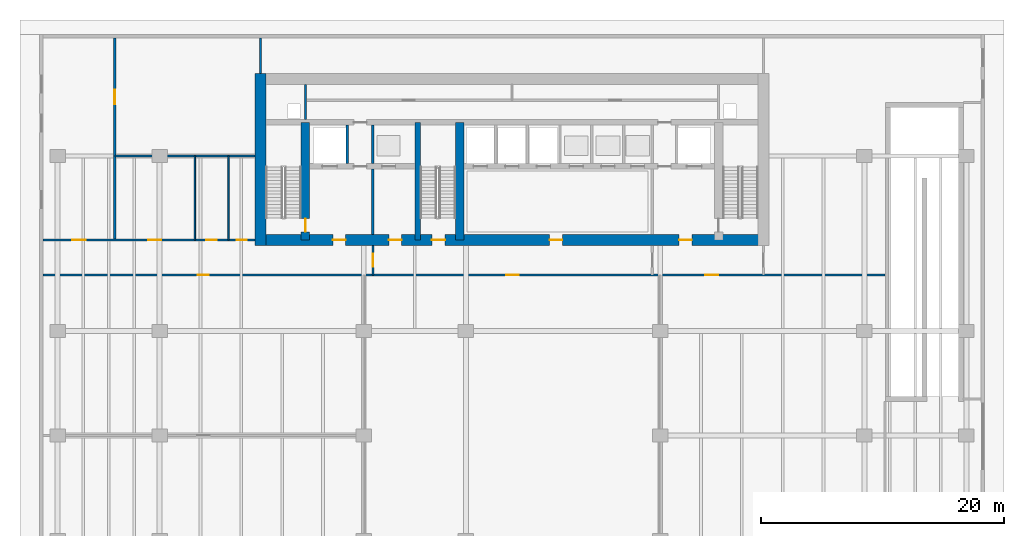
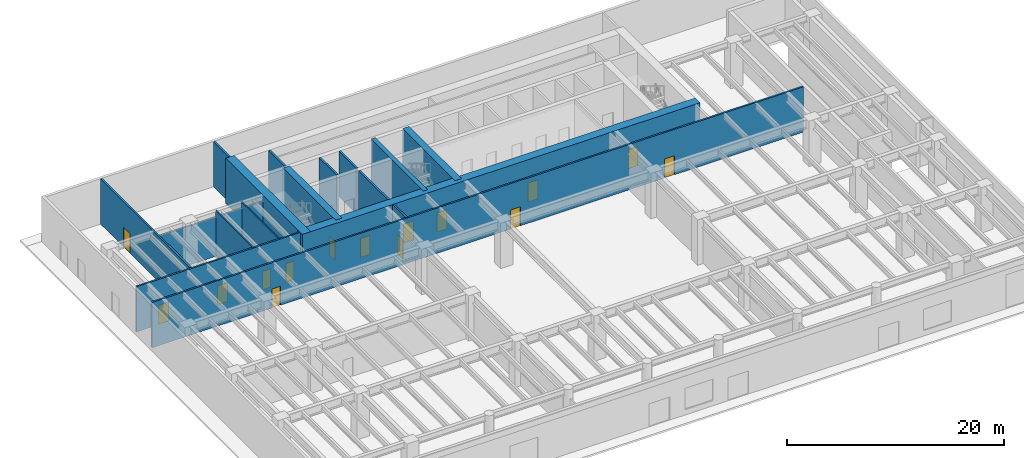
# One storey, part 5 of 11: 17 walls, 15 doors, 15 openings.
"""IFC4 building model written with IfcOpenShell, lengths in metres."""

import ifcopenshell
import ifcopenshell.guid

model = None  # the IFC model being written
_history = None  # IfcOwnerHistory: only IFC2X3 demands one
_inside = {}  # id of a spatial element -> (the spatial element, [elements in it])
_under = {}  # id of a project, library or spatial element -> (it, [spatial elements below it])
_declared = {}  # id of a project -> (the project, [libraries it declares])
_typed = {}  # id of a type object -> (the type object, [elements of that type])
_made_of = {}  # id of a material, layer set ... -> (it, [elements and type objects made of it])


def new_model(schema):
    """Start an empty IFC model of exactly this schema.

    Asked for "IFC4X3", IfcOpenShell would pick the latest addendum, in which some entities
    have other attributes; the version numbers below select the first issue.
    IFC2X3 requires an IfcOwnerHistory on every rooted entity: one is made here for all.
    """
    global model, _history
    if schema == "IFC4X3":
        model = ifcopenshell.file(schema_version=(4, 3, 0, 0))
    else:
        model = ifcopenshell.file(schema=schema)
    _inside.clear()
    _under.clear()
    _declared.clear()
    _typed.clear()
    _made_of.clear()
    _history = None
    if model.schema == "IFC2X3":
        org = make("IfcOrganization", Name="unknown")
        user = make(
            "IfcPersonAndOrganization",
            ThePerson=make("IfcPerson", FamilyName="unknown"),
            TheOrganization=org,
        )
        app = make(
            "IfcApplication",
            ApplicationDeveloper=org,
            Version="unknown",
            ApplicationFullName="unknown",
            ApplicationIdentifier="unknown",
        )
        _history = make(
            "IfcOwnerHistory",
            OwningUser=user,
            OwningApplication=app,
            ChangeAction="ADDED",
            CreationDate=0,
        )
    return model


def make(cls, **values):
    """One entity of the class cls with the attributes given. An attribute that is None is left unset."""
    return model.create_entity(
        cls, **{name: value for name, value in values.items() if value is not None}
    )


def rooted(cls, **values):
    """An entity with a GlobalId (a new one), such as an element, a storey or a relation."""
    return make(cls, GlobalId=ifcopenshell.guid.new(), OwnerHistory=_history, **values)


def si_unit(unit_type, name, prefix=None):
    """IfcSIUnit, for example si_unit("LENGTHUNIT", "METRE", prefix="MILLI")."""
    return make("IfcSIUnit", UnitType=unit_type, Prefix=prefix, Name=name)


def assignment(units):
    """IfcUnitAssignment: the units of a project."""
    return None if units is None else make("IfcUnitAssignment", Units=units)


def point(xyz):
    """IfcCartesianPoint."""
    return None if xyz is None else make("IfcCartesianPoint", Coordinates=xyz)


def direction(xyz):
    """IfcDirection."""
    return None if xyz is None else make("IfcDirection", DirectionRatios=xyz)


def frame(location, z_axis=None, x_axis=None):
    """IfcAxis2Placement3D, a coordinate frame: its origin and axes. An axis left out is left unset."""
    return make(
        "IfcAxis2Placement3D",
        Location=point(location),
        Axis=direction(z_axis),
        RefDirection=direction(x_axis),
    )


def frame_2d(location, x_axis=None):
    """IfcAxis2Placement2D, a coordinate frame in the plane: its origin and x axis."""
    return make(
        "IfcAxis2Placement2D", Location=point(location), RefDirection=direction(x_axis)
    )


def origin():
    """The frame at (0, 0, 0) with its axes left unset."""
    return frame((0.0, 0.0, 0.0))


def place(relative_to, where):
    """IfcLocalPlacement: puts the frame where relative to a parent placement (None: the world)."""
    return make(
        "IfcLocalPlacement", PlacementRelTo=relative_to, RelativePlacement=where
    )


def context(
    kind, dimensions, precision=None, world=None, true_north=None, identifier=None
):
    """IfcGeometricRepresentationContext, for example the 3D "Model" context."""
    return make(
        "IfcGeometricRepresentationContext",
        ContextIdentifier=identifier,
        ContextType=kind,
        CoordinateSpaceDimension=dimensions,
        Precision=precision,
        WorldCoordinateSystem=world,
        TrueNorth=true_north,
    )


def subcontext(parent, identifier, kind, view, scale=None):
    """IfcGeometricRepresentationSubContext, for example "Body" below "Model"."""
    return make(
        "IfcGeometricRepresentationSubContext",
        ContextIdentifier=identifier,
        ContextType=kind,
        ParentContext=parent,
        TargetScale=scale,
        TargetView=view,
    )


def project(units=None, contexts=None):
    """IfcProject with its units and contexts."""
    return rooted(
        "IfcProject",
        Name="project",
        RepresentationContexts=contexts,
        UnitsInContext=assignment(units),
    )


def spatial(cls, under=None, at=None, **own):
    """A site, building, storey or space (cls), placed at a placement, below another one or the project."""
    s = rooted(cls, ObjectPlacement=at, **own)
    if under is not None:
        _under.setdefault(under.id(), (under, []))[1].append(s)
    return s


def profile(cls, at=None, kind="AREA", **sizes):
    """A parametric profile (cls). Its sizes go by their IFC names, for example OverallWidth=200.0."""
    return make(cls, ProfileType=kind, Position=at, **sizes)


def rectangle(**sizes):
    """IfcRectangleProfileDef."""
    return profile("IfcRectangleProfileDef", **sizes)


def extrude(swept, where, along, depth):
    """IfcExtrudedAreaSolid: the profile swept, set in the frame where, extruded along a direction by depth."""
    return make(
        "IfcExtrudedAreaSolid",
        SweptArea=swept,
        Position=where,
        ExtrudedDirection=direction(along),
        Depth=depth,
    )


def shape(context_of_items, identifier, shape_type, items):
    """IfcShapeRepresentation: the items that make up one representation, for example the "Body"."""
    return make(
        "IfcShapeRepresentation",
        ContextOfItems=context_of_items,
        RepresentationIdentifier=identifier,
        RepresentationType=shape_type,
        Items=items,
    )


def material(Name=None, Category=None):
    """IfcMaterial."""
    return make("IfcMaterial", Name=Name, Category=Category)


def layer(
    of_material, thickness, ventilated=None, Name=None, Category=None, Priority=None
):
    """IfcMaterialLayer: one layer of a wall or slab, of a material (None: an air gap)."""
    return make(
        "IfcMaterialLayer",
        Material=of_material,
        LayerThickness=thickness,
        IsVentilated=ventilated,
        Name=Name,
        Category=Category,
        Priority=Priority,
    )


def layer_set(layers, Name=None):
    """IfcMaterialLayerSet."""
    return make("IfcMaterialLayerSet", MaterialLayers=layers, LayerSetName=Name)


def made_of(thing, what):
    """Note that an element or type object is made of a material, layer set ...; save() writes the relation."""
    if what is not None:
        _made_of.setdefault(what.id(), (what, []))[1].append(thing)
    return thing


def type_object(cls, material=None, **own):
    """A type object (cls), such as IfcWallType, which elements share."""
    return made_of(rooted(cls, **own), material)


def element(
    cls,
    number,
    at=None,
    inside=None,
    cuts=None,
    type_object=None,
    material=None,
    context=None,
    identifier="Body",
    shape_type=None,
    held_by="IfcProductDefinitionShape",
    body=None,
    shapes=None,
    **own,
):
    """One element of the class cls, such as IfcWall. Its Tag is "e" and its number.

    at: its placement. inside: the storey or other place that contains it. cuts: it is an
    opening in that element (IfcRelVoidsElement). A single representation is given by context,
    identifier, shape_type and body (its items); several are given by shapes. held_by: the class
    of the entity that holds the representations. save() writes the other relations.
    """
    e = rooted(cls, Tag="e%d" % number, ObjectPlacement=at, **own)
    if body is not None:
        shapes = [shape(context, identifier, shape_type, body)]
    if shapes is not None:
        e.Representation = make(held_by, Representations=shapes)
    if inside is not None:
        _inside.setdefault(inside.id(), (inside, []))[1].append(e)
    if cuts is not None:
        rooted(
            "IfcRelVoidsElement", RelatingBuildingElement=cuts, RelatedOpeningElement=e
        )
    if type_object is not None:
        _typed.setdefault(type_object.id(), (type_object, []))[1].append(e)
    return made_of(e, material)


def fill(opening, filler):
    """IfcRelFillsElement: the door or window that sits in an opening."""
    return rooted(
        "IfcRelFillsElement",
        RelatingOpeningElement=opening,
        RelatedBuildingElement=filler,
    )


def aggregate(whole, parts):
    """IfcRelAggregates: a whole, such as a stair, and the parts it consists of."""
    return rooted("IfcRelAggregates", RelatingObject=whole, RelatedObjects=parts)


def save(model, path):
    """Write the relations noted so far, then the file.

    IfcRelAggregates (storeys below a building ...), IfcRelContainedInSpatialStructure (elements
    in a storey), IfcRelDefinesByType, IfcRelAssociatesMaterial and IfcRelDeclares: one each for
    every whole, place, type object, material and project.
    """
    for whole, parts in _under.values():
        aggregate(whole, parts)
    for where, things in _inside.values():
        rooted(
            "IfcRelContainedInSpatialStructure",
            RelatedElements=things,
            RelatingStructure=where,
        )
    for kind, things in _typed.values():
        rooted("IfcRelDefinesByType", RelatedObjects=things, RelatingType=kind)
    for what, things in _made_of.values():
        rooted("IfcRelAssociatesMaterial", RelatedObjects=things, RelatingMaterial=what)
    for by, libraries in _declared.values():
        rooted("IfcRelDeclares", RelatingContext=by, RelatedDefinitions=libraries)
    model.write(path)


model = new_model("IFC4")

# Units and contexts
model_context = context("Model", 3, precision=1e-05, world=origin(), true_north=direction((0.0, 1.0)))
body_context = subcontext(model_context, "Body", "Model", "MODEL_VIEW")
ifc_project = project(units=[si_unit("LENGTHUNIT", "METRE"), si_unit("AREAUNIT", "SQUARE_METRE"), si_unit("VOLUMEUNIT", "CUBIC_METRE"), si_unit("PLANEANGLEUNIT", "RADIAN"), si_unit("MASSUNIT", "GRAM", prefix="KILO")], contexts=[model_context])

# Site, building, storey
site_placement = place(None, origin())
site = spatial("IfcSite", under=ifc_project, at=site_placement, CompositionType="ELEMENT")
building_placement = place(site_placement, origin())
building = spatial("IfcBuilding", under=site, at=building_placement, Name="Caelmar Bay Residences", CompositionType="ELEMENT")
storey_placement = place(building_placement, origin())
storey = spatial("IfcBuildingStorey", under=building, at=storey_placement, Name="L00", CompositionType="ELEMENT", Elevation=0.0)

# Wall, opening, door
ifc_material_1 = material(Name="Concrete f'c 55 MPa (8,000 psi)", Category="concrete")
ifc_layer_1 = layer(ifc_material_1, 0.699951171875)
ifc_layer_set_1 = layer_set([ifc_layer_1], Name="Concrete f'c 55 MPa (8,000 psi)")
wall_type_1 = type_object("IfcWallType", Name="SW-COR-700", PredefinedType="SHEAR", material=ifc_layer_set_1)
wall_1_placement = place(storey_placement, frame((21.89990234375, 36.89990234375, 0.0), z_axis=(0.0, 0.0, 1.0), x_axis=(0.0, 1.0, 0.0)))
wall_1 = element("IfcWall", 1, at=wall_1_placement, inside=storey, type_object=wall_type_1, Name="L00 Core Structural Web Wall ST1E", PredefinedType="SHEAR", context=body_context, shape_type="SweptSolid", body=[
    extrude(rectangle(XDim=9.675048828125, YDim=0.699951171875, at=frame_2d((4.83740234375, 0.0))), origin(), (0.0, 0.0, 1.0), 5.10009765625),
])
opening_1_placement = place(wall_1_placement, frame((0.64990234375, 0.0, 0.0)))
opening_1 = element("IfcOpeningElement", 2, at=opening_1_placement, cuts=wall_1, Name="Opening D-L00-112", PredefinedType="OPENING", context=body_context, shape_type="SweptSolid", body=[
    extrude(rectangle(XDim=1.10009765625, YDim=2.14990234375, at=frame_2d((0.550048828125, 1.074951171875))), frame((0.0, 0.35986328125, 0.0), z_axis=(0.0, -1.0, 0.0), x_axis=(1.0, 0.0, 0.0)), (0.0, 0.0, 1.0), 0.719970703125),
])
ifc_material_2 = material(Name="Fire-rated steel and walnut architectural door assembly", Category="steel")
ifc_layer_2 = layer(ifc_material_2, 0.050048828125)
ifc_layer_set_2 = layer_set([ifc_layer_2], Name="Fire-rated steel and walnut architectural door assembly")
door_type_1 = type_object("IfcDoorType", Name="D-STAIR-1100", OperationType="NOTDEFINED", PredefinedType="DOOR", material=ifc_layer_set_2)
door_1_placement = place(opening_1_placement, origin())
door_1 = element("IfcDoor", 3, at=door_1_placement, inside=storey, type_object=door_type_1, Name="L00 Firefighting Lobby West Door", OperationType="SINGLE_SWING_LEFT", OverallHeight=2.14990234375, OverallWidth=1.10009765625, PredefinedType="DOOR", context=body_context, shape_type="SweptSolid", body=[
    extrude(rectangle(XDim=1.10009765625, YDim=2.14990234375, at=frame_2d((0.550048828125, 1.074951171875))), frame((0.0, 0.02490234375, 0.0), z_axis=(0.0, -1.0, 0.0), x_axis=(1.0, 0.0, 0.0)), (0.0, 0.0, 1.0), 0.050048828125),
])
fill(opening_1, door_1)

# Wall
wall_2_placement = place(storey_placement, frame((34.60009765625, 36.89990234375, 0.0), z_axis=(0.0, 0.0, 1.0), x_axis=(0.0, 1.0, 0.0)))
element("IfcWall", 4, at=wall_2_placement, inside=storey, type_object=wall_type_1, Name="L00 Core Structural Web Wall ST3E", PredefinedType="SHEAR", context=body_context, shape_type="SweptSolid", body=[
    extrude(rectangle(XDim=9.675048828125, YDim=0.699951171875, at=frame_2d((4.83740234375, 0.0))), origin(), (0.0, 0.0, 1.0), 5.10009765625),
])

# Wall, openings, doors
ifc_material_3 = material(Name="Concrete f'c 70 MPa (10,000 psi)", Category="concrete")
ifc_layer_3 = layer(ifc_material_3, 0.89990234375)
ifc_layer_set_3 = layer_set([ifc_layer_3], Name="Concrete f'c 70 MPa (10,000 psi)")
wall_type_2 = type_object("IfcWallType", Name="SW-COR-900", PredefinedType="SHEAR", material=ifc_layer_set_3)
wall_3_placement = place(storey_placement, frame((17.75, 36.89990234375, 0.0), z_axis=(0.0, 0.0, 1.0), x_axis=(1.0, 0.0, 0.0)))
wall_3 = element("IfcWall", 5, at=wall_3_placement, inside=storey, type_object=wall_type_2, Name="L00 Rear Core South Shear Wall", PredefinedType="SHEAR", context=body_context, shape_type="SweptSolid", body=[
    extrude(rectangle(XDim=42.300048828125, YDim=0.89990234375, at=frame_2d((21.14990234375, 0.0))), origin(), (0.0, 0.0, 1.0), 5.10009765625),
])
opening_2_placement = place(wall_3_placement, frame((14.550048828125, 0.0, 0.0)))
opening_2 = element("IfcOpeningElement", 6, at=opening_2_placement, cuts=wall_3, Name="Opening D-L00-110", PredefinedType="OPENING", context=body_context, shape_type="SweptSolid", body=[
    extrude(rectangle(XDim=1.10009765625, YDim=2.14990234375, at=frame_2d((0.550048828125, 1.074951171875))), frame((0.0, 0.4599609375, 0.0), z_axis=(0.0, -1.0, 0.0), x_axis=(1.0, 0.0, 0.0)), (0.0, 0.0, 1.0), 0.919921875),
])
opening_3_placement = place(wall_3_placement, frame((6.39990234375, 0.0, 0.0)))
opening_3 = element("IfcOpeningElement", 7, at=opening_3_placement, cuts=wall_3, Name="Opening D-L00-111", PredefinedType="OPENING", context=body_context, shape_type="SweptSolid", body=[
    extrude(rectangle(XDim=1.050048828125, YDim=2.14990234375, at=frame_2d((0.52490234375, 1.074951171875))), frame((0.0, 0.4599609375, 0.0), z_axis=(0.0, -1.0, 0.0), x_axis=(1.0, 0.0, 0.0)), (0.0, 0.0, 1.0), 0.919921875),
])
opening_4_placement = place(wall_3_placement, frame((34.89990234375, 0.0, 0.0)))
opening_4 = element("IfcOpeningElement", 8, at=opening_4_placement, cuts=wall_3, Name="Opening D-L00-114", PredefinedType="OPENING", context=body_context, shape_type="SweptSolid", body=[
    extrude(rectangle(XDim=1.050048828125, YDim=2.14990234375, at=frame_2d((0.52490234375, 1.074951171875))), frame((0.0, 0.4599609375, 0.0), z_axis=(0.0, -1.0, 0.0), x_axis=(1.0, 0.0, 0.0)), (0.0, 0.0, 1.0), 0.919921875),
])
opening_5_placement = place(wall_3_placement, frame((11.012451171875, 0.0, 0.0)))
opening_5 = element("IfcOpeningElement", 9, at=opening_5_placement, cuts=wall_3, Name="Opening D-L00-117", PredefinedType="OPENING", context=body_context, shape_type="SweptSolid", body=[
    extrude(rectangle(XDim=1.050048828125, YDim=2.14990234375, at=frame_2d((0.52490234375, 1.074951171875))), frame((0.0, 0.4599609375, 0.0), z_axis=(0.0, -1.0, 0.0), x_axis=(1.0, 0.0, 0.0)), (0.0, 0.0, 1.0), 0.919921875),
])
opening_6_placement = place(wall_3_placement, frame((24.25, 0.0, 0.0)))
opening_6 = element("IfcOpeningElement", 10, at=opening_6_placement, cuts=wall_3, Name="Opening D-L00-118", PredefinedType="OPENING", context=body_context, shape_type="SweptSolid", body=[
    extrude(rectangle(XDim=1.050048828125, YDim=2.14990234375, at=frame_2d((0.52490234375, 1.074951171875))), frame((0.0, 0.4599609375, 0.0), z_axis=(0.0, -1.0, 0.0), x_axis=(1.0, 0.0, 0.0)), (0.0, 0.0, 1.0), 0.919921875),
])
ifc_layer_4 = layer(ifc_material_2, 0.050048828125)
ifc_layer_set_4 = layer_set([ifc_layer_4], Name="Fire-rated steel and walnut architectural door assembly")
door_type_2 = type_object("IfcDoorType", Name="D-FSAE-1050", OperationType="NOTDEFINED", PredefinedType="DOOR", material=ifc_layer_set_4)
door_2_placement = place(opening_3_placement, origin())
door_2 = element("IfcDoor", 11, at=door_2_placement, inside=storey, type_object=door_type_2, Name="L00 Firefighting Lobby West Door", OperationType="SINGLE_SWING_RIGHT", OverallHeight=2.14990234375, OverallWidth=1.050048828125, PredefinedType="DOOR", context=body_context, shape_type="SweptSolid", body=[
    extrude(rectangle(XDim=1.050048828125, YDim=2.14990234375, at=frame_2d((0.52490234375, 1.074951171875))), frame((0.0, 0.02490234375, 0.0), z_axis=(0.0, -1.0, 0.0), x_axis=(1.0, 0.0, 0.0)), (0.0, 0.0, 1.0), 0.050048828125),
])
fill(opening_3, door_2)
door_3_placement = place(opening_4_placement, origin())
door_3 = element("IfcDoor", 12, at=door_3_placement, inside=storey, type_object=door_type_2, Name="L00 Firefighting Lobby East Door", OperationType="SINGLE_SWING_LEFT", OverallHeight=2.14990234375, OverallWidth=1.050048828125, PredefinedType="DOOR", context=body_context, shape_type="SweptSolid", body=[
    extrude(rectangle(XDim=1.050048828125, YDim=2.14990234375, at=frame_2d((0.52490234375, 1.074951171875))), frame((0.0, 0.02490234375, 0.0), z_axis=(0.0, -1.0, 0.0), x_axis=(1.0, 0.0, 0.0)), (0.0, 0.0, 1.0), 0.050048828125),
])
fill(opening_4, door_3)
door_4_placement = place(opening_5_placement, origin())
door_4 = element("IfcDoor", 13, at=door_4_placement, inside=storey, type_object=door_type_2, Name="L00 West Lift Lobby Door", OperationType="SINGLE_SWING_RIGHT", OverallHeight=2.14990234375, OverallWidth=1.050048828125, PredefinedType="DOOR", context=body_context, shape_type="SweptSolid", body=[
    extrude(rectangle(XDim=1.050048828125, YDim=2.14990234375, at=frame_2d((0.52490234375, 1.074951171875))), frame((0.0, 0.02490234375, 0.0), z_axis=(0.0, -1.0, 0.0), x_axis=(1.0, 0.0, 0.0)), (0.0, 0.0, 1.0), 0.050048828125),
])
fill(opening_5, door_4)
door_5_placement = place(opening_6_placement, origin())
door_5 = element("IfcDoor", 14, at=door_5_placement, inside=storey, type_object=door_type_2, Name="L00 Passenger Lift Lobby Door", OperationType="SINGLE_SWING_LEFT", OverallHeight=2.14990234375, OverallWidth=1.050048828125, PredefinedType="DOOR", context=body_context, shape_type="SweptSolid", body=[
    extrude(rectangle(XDim=1.050048828125, YDim=2.14990234375, at=frame_2d((0.52490234375, 1.074951171875))), frame((0.0, 0.02490234375, 0.0), z_axis=(0.0, -1.0, 0.0), x_axis=(1.0, 0.0, 0.0)), (0.0, 0.0, 1.0), 0.050048828125),
])
fill(opening_6, door_5)
door_6_placement = place(opening_2_placement, origin())
door_6 = element("IfcDoor", 15, at=door_6_placement, inside=storey, type_object=door_type_1, Name="L00 Exit Stair ST3 Door", OperationType="SINGLE_SWING_LEFT", OverallHeight=2.14990234375, OverallWidth=1.10009765625, PredefinedType="DOOR", context=body_context, shape_type="SweptSolid", body=[
    extrude(rectangle(XDim=1.10009765625, YDim=2.14990234375, at=frame_2d((0.550048828125, 1.074951171875))), frame((0.0, 0.02490234375, 0.0), z_axis=(0.0, -1.0, 0.0), x_axis=(1.0, 0.0, 0.0)), (0.0, 0.0, 1.0), 0.050048828125),
])
fill(opening_2, door_6)

# Walls
wall_4_placement = place(storey_placement, frame((18.199951171875, 36.449951171875, 0.0), z_axis=(0.0, 0.0, 1.0), x_axis=(0.0, 1.0, 0.0)))
element("IfcWall", 16, at=wall_4_placement, inside=storey, type_object=wall_type_2, Name="L00 Rear Core West Shear Wall", PredefinedType="SHEAR", context=body_context, shape_type="SweptSolid", body=[
    extrude(rectangle(XDim=14.150146484375, YDim=0.89990234375, at=frame_2d((7.0751953125, 0.0))), origin(), (0.0, 0.0, 1.0), 5.10009765625),
])
ifc_layer_5 = layer(ifc_material_3, 0.449951171875)
ifc_layer_set_5 = layer_set([ifc_layer_5], Name="Concrete f'c 70 MPa (10,000 psi)")
wall_type_3 = type_object("IfcWallType", Name="SW-WEB-450", PredefinedType="SHEAR", material=ifc_layer_set_5)
wall_5_placement = place(storey_placement, frame((31.125, 36.89990234375, 0.0), z_axis=(0.0, 0.0, 1.0), x_axis=(0.0, 1.0, 0.0)))
element("IfcWall", 17, at=wall_5_placement, inside=storey, type_object=wall_type_3, Name="L00 Core Structural Web Wall ST3W", PredefinedType="SHEAR", context=body_context, shape_type="SweptSolid", body=[
    extrude(rectangle(XDim=9.675048828125, YDim=0.449951171875, at=frame_2d((4.83740234375, 0.0))), origin(), (0.0, 0.0, 1.0), 5.10009765625),
])

# Wall, opening, door
ifc_material_4 = material(Name="Double-stud acoustic fire-rated gypsum partition 180 mm")
ifc_layer_6 = layer(ifc_material_4, 0.179931640625)
ifc_layer_set_6 = layer_set([ifc_layer_6], Name="Double-stud acoustic fire-rated gypsum partition 180 mm")
wall_type_4 = type_object("IfcWallType", Name="W-COR-200", PredefinedType="PARTITIONING", material=ifc_layer_set_6)
wall_6_placement = place(storey_placement, frame((6.199951171875, 36.89990234375, 0.0), z_axis=(0.0, 0.0, 1.0), x_axis=(0.0, 1.0, 0.0)))
wall_6 = element("IfcWall", 18, at=wall_6_placement, inside=storey, type_object=wall_type_4, Name="L00 Partition Wall V001", PredefinedType="PARTITIONING", context=body_context, shape_type="SweptSolid", body=[
    extrude(rectangle(XDim=16.60498046875, YDim=0.179931640625, at=frame_2d((8.302490234375, 0.0))), origin(), (0.0, 0.0, 1.0), 5.10009765625),
])
opening_7_placement = place(wall_6_placement, frame((11.152587890625, 0.0, 0.0)))
opening_7 = element("IfcOpeningElement", 19, at=opening_7_placement, cuts=wall_6, Name="Opening D-L00-135", PredefinedType="OPENING", context=body_context, shape_type="SweptSolid", body=[
    extrude(rectangle(XDim=1.199951171875, YDim=2.199951171875, at=frame_2d((0.60009765625, 1.10009765625))), frame((0.0, 0.099853515625, 0.0), z_axis=(0.0, -1.0, 0.0), x_axis=(1.0, 0.0, 0.0)), (0.0, 0.0, 1.0), 0.199951171875),
])
ifc_layer_7 = layer(ifc_material_2, 0.050048828125)
ifc_layer_set_7 = layer_set([ifc_layer_7], Name="Fire-rated steel and walnut architectural door assembly")
door_type_3 = type_object("IfcDoorType", Name="D-PLANT-1200", OperationType="NOTDEFINED", PredefinedType="DOOR", material=ifc_layer_set_7)
door_7_placement = place(opening_7_placement, origin())
door_7 = element("IfcDoor", 20, at=door_7_placement, inside=storey, type_object=door_type_3, Name="L00 Ground Fire Pump Control Plant Room Door", OperationType="SINGLE_SWING_RIGHT", OverallHeight=2.199951171875, OverallWidth=1.199951171875, PredefinedType="DOOR", context=body_context, shape_type="SweptSolid", body=[
    extrude(rectangle(XDim=1.199951171875, YDim=2.199951171875, at=frame_2d((0.60009765625, 1.10009765625))), frame((0.0, 0.02490234375, 0.0), z_axis=(0.0, -1.0, 0.0), x_axis=(1.0, 0.0, 0.0)), (0.0, 0.0, 1.0), 0.050048828125),
])
fill(opening_7, door_7)

# Wall
wall_7_placement = place(storey_placement, frame((18.199951171875, 50.60498046875, 0.0), z_axis=(0.0, 0.0, 1.0), x_axis=(0.0, 1.0, 0.0)))
element("IfcWall", 21, at=wall_7_placement, inside=storey, type_object=wall_type_4, Name="L00 Partition Wall V004", PredefinedType="PARTITIONING", context=body_context, shape_type="SweptSolid", body=[
    extrude(rectangle(XDim=2.89990234375, YDim=0.179931640625, at=frame_2d((1.449951171875, 0.0))), origin(), (0.0, 0.0, 1.0), 5.10009765625),
])

# Wall, opening, door
wall_8_placement = place(storey_placement, frame((27.449951171875, 34.0, 0.0), z_axis=(0.0, 0.0, 1.0), x_axis=(0.0, 1.0, 0.0)))
wall_8 = element("IfcWall", 22, at=wall_8_placement, inside=storey, type_object=wall_type_4, Name="L00 Partition Wall V008", PredefinedType="PARTITIONING", context=body_context, shape_type="SweptSolid", body=[
    extrude(rectangle(XDim=2.455078125, YDim=0.179931640625, at=frame_2d((1.2275390625, 0.0))), origin(), (0.0, 0.0, 1.0), 5.10009765625),
])
opening_8_placement = place(wall_8_placement, frame((0.677490234375, 0.0, 0.0)))
opening_8 = element("IfcOpeningElement", 23, at=opening_8_placement, cuts=wall_8, Name="Opening D-L00-123", PredefinedType="OPENING", context=body_context, shape_type="SweptSolid", body=[
    extrude(rectangle(XDim=1.10009765625, YDim=2.14990234375, at=frame_2d((0.550048828125, 1.074951171875))), frame((0.0, 0.099853515625, 0.0), z_axis=(0.0, -1.0, 0.0), x_axis=(1.0, 0.0, 0.0)), (0.0, 0.0, 1.0), 0.199951171875),
])
door_8_placement = place(opening_8_placement, origin())
door_8 = element("IfcDoor", 24, at=door_8_placement, inside=storey, type_object=door_type_1, Name="L00 West Protected Exit Passageway Door", OperationType="SINGLE_SWING_RIGHT", OverallHeight=2.14990234375, OverallWidth=1.10009765625, PredefinedType="DOOR", context=body_context, shape_type="SweptSolid", body=[
    extrude(rectangle(XDim=1.10009765625, YDim=2.14990234375, at=frame_2d((0.550048828125, 1.074951171875))), frame((0.0, 0.02490234375, 0.0), z_axis=(0.0, -1.0, 0.0), x_axis=(1.0, 0.0, 0.0)), (0.0, 0.0, 1.0), 0.050048828125),
])
fill(opening_8, door_8)

# Wall, openings, doors
wall_9_placement = place(storey_placement, frame((0.294921875, 34.0, 0.0), z_axis=(0.0, 0.0, 1.0), x_axis=(1.0, 0.0, 0.0)))
wall_9 = element("IfcWall", 25, at=wall_9_placement, inside=storey, type_object=wall_type_4, Name="L00 Partition Wall H028", PredefinedType="PARTITIONING", context=body_context, shape_type="SweptSolid", body=[
    extrude(rectangle(XDim=69.30517578125, YDim=0.179931640625, at=frame_2d((34.652587890625, 0.0))), origin(), (0.0, 0.0, 1.0), 5.10009765625),
])
opening_9_placement = place(wall_9_placement, frame((38.1298828125, 0.0, 0.0)))
opening_9 = element("IfcOpeningElement", 26, at=opening_9_placement, cuts=wall_9, Name="Opening D-L00-125", PredefinedType="OPENING", context=body_context, shape_type="SweptSolid", body=[
    extrude(rectangle(XDim=1.050048828125, YDim=2.14990234375, at=frame_2d((0.52490234375, 1.074951171875))), frame((0.0, 0.099853515625, 0.0), z_axis=(0.0, -1.0, 0.0), x_axis=(1.0, 0.0, 0.0)), (0.0, 0.0, 1.0), 0.199951171875),
])
opening_10_placement = place(wall_9_placement, frame((12.75244140625, 0.0, 0.0)))
opening_10 = element("IfcOpeningElement", 27, at=opening_10_placement, cuts=wall_9, Name="Opening D-L00-126", PredefinedType="OPENING", context=body_context, shape_type="SweptSolid", body=[
    extrude(rectangle(XDim=0.89990234375, YDim=2.14990234375, at=frame_2d((0.449951171875, 1.074951171875))), frame((0.0, 0.099853515625, 0.0), z_axis=(0.0, -1.0, 0.0), x_axis=(1.0, 0.0, 0.0)), (0.0, 0.0, 1.0), 0.199951171875),
])
opening_11_placement = place(wall_9_placement, frame((54.530029296875, 0.0, 0.0)))
opening_11 = element("IfcOpeningElement", 28, at=opening_11_placement, cuts=wall_9, Name="Opening D-L00-131", PredefinedType="OPENING", context=body_context, shape_type="SweptSolid", body=[
    extrude(rectangle(XDim=1.050048828125, YDim=2.14990234375, at=frame_2d((0.52490234375, 1.074951171875))), frame((0.0, 0.099853515625, 0.0), z_axis=(0.0, -1.0, 0.0), x_axis=(1.0, 0.0, 0.0)), (0.0, 0.0, 1.0), 0.199951171875),
])
door_9_placement = place(opening_9_placement, origin())
door_9 = element("IfcDoor", 29, at=door_9_placement, inside=storey, type_object=door_type_2, Name="L00 Grand Entrance Lobby Door", OperationType="SINGLE_SWING_RIGHT", OverallHeight=2.14990234375, OverallWidth=1.050048828125, PredefinedType="DOOR", context=body_context, shape_type="SweptSolid", body=[
    extrude(rectangle(XDim=1.050048828125, YDim=2.14990234375, at=frame_2d((0.52490234375, 1.074951171875))), frame((0.0, 0.02490234375, 0.0), z_axis=(0.0, -1.0, 0.0), x_axis=(1.0, 0.0, 0.0)), (0.0, 0.0, 1.0), 0.050048828125),
])
fill(opening_9, door_9)
door_10_placement = place(opening_11_placement, origin())
door_10 = element("IfcDoor", 30, at=door_10_placement, inside=storey, type_object=door_type_2, Name="L00 Waterfront Retail Gallery Door", OperationType="SINGLE_SWING_RIGHT", OverallHeight=2.14990234375, OverallWidth=1.050048828125, PredefinedType="DOOR", context=body_context, shape_type="SweptSolid", body=[
    extrude(rectangle(XDim=1.050048828125, YDim=2.14990234375, at=frame_2d((0.52490234375, 1.074951171875))), frame((0.0, 0.02490234375, 0.0), z_axis=(0.0, -1.0, 0.0), x_axis=(1.0, 0.0, 0.0)), (0.0, 0.0, 1.0), 0.050048828125),
])
fill(opening_11, door_10)
ifc_material_5 = material(Name="Solid walnut timber interior door leaf and frame", Category="wood")
ifc_layer_8 = layer(ifc_material_5, 0.050048828125)
ifc_layer_set_8 = layer_set([ifc_layer_8], Name="Solid walnut timber interior door leaf and frame")
door_type_4 = type_object("IfcDoorType", Name="D-ROOM-900", OperationType="NOTDEFINED", PredefinedType="DOOR", material=ifc_layer_set_8)
door_11_placement = place(opening_10_placement, origin())
door_11 = element("IfcDoor", 31, at=door_11_placement, inside=storey, type_object=door_type_4, Name="L00 Concierge Management Office Door", OperationType="SINGLE_SWING_LEFT", OverallHeight=2.14990234375, OverallWidth=0.89990234375, PredefinedType="DOOR", context=body_context, shape_type="SweptSolid", body=[
    extrude(rectangle(XDim=0.89990234375, YDim=2.14990234375, at=frame_2d((0.449951171875, 1.074951171875))), frame((0.0, 0.02490234375, 0.0), z_axis=(0.0, -1.0, 0.0), x_axis=(1.0, 0.0, 0.0)), (0.0, 0.0, 1.0), 0.050048828125),
])
fill(opening_10, door_11)

wall_10_placement = place(storey_placement, frame((0.294921875, 36.89990234375, 0.0), z_axis=(0.0, 0.0, 1.0), x_axis=(1.0, 0.0, 0.0)))
wall_10 = element("IfcWall", 32, at=wall_10_placement, inside=storey, type_object=wall_type_4, Name="L00 Partition Wall H029", PredefinedType="PARTITIONING", context=body_context, shape_type="SweptSolid", body=[
    extrude(rectangle(XDim=17.4501953125, YDim=0.179931640625, at=frame_2d((8.72509765625, 0.0))), origin(), (0.0, 0.0, 1.0), 5.10009765625),
])
opening_12_placement = place(wall_10_placement, frame((2.402587890625, 0.0, 0.0)))
opening_12 = element("IfcOpeningElement", 33, at=opening_12_placement, cuts=wall_10, Name="Opening D-L00-127", PredefinedType="OPENING", context=body_context, shape_type="SweptSolid", body=[
    extrude(rectangle(XDim=1.10009765625, YDim=2.14990234375, at=frame_2d((0.550048828125, 1.074951171875))), frame((0.0, 0.099853515625, 0.0), z_axis=(0.0, -1.0, 0.0), x_axis=(1.0, 0.0, 0.0)), (0.0, 0.0, 1.0), 0.199951171875),
])
opening_13_placement = place(wall_10_placement, frame((8.679931640625, 0.0, 0.0)))
opening_13 = element("IfcOpeningElement", 34, at=opening_13_placement, cuts=wall_10, Name="Opening D-L00-128", PredefinedType="OPENING", context=body_context, shape_type="SweptSolid", body=[
    extrude(rectangle(XDim=1.050048828125, YDim=2.14990234375, at=frame_2d((0.52490234375, 1.074951171875))), frame((0.0, 0.099853515625, 0.0), z_axis=(0.0, -1.0, 0.0), x_axis=(1.0, 0.0, 0.0)), (0.0, 0.0, 1.0), 0.199951171875),
])
opening_14_placement = place(wall_10_placement, frame((13.455078125, 0.0, 0.0)))
opening_14 = element("IfcOpeningElement", 35, at=opening_14_placement, cuts=wall_10, Name="Opening D-L00-129", PredefinedType="OPENING", context=body_context, shape_type="SweptSolid", body=[
    extrude(rectangle(XDim=0.85009765625, YDim=2.10009765625, at=frame_2d((0.425048828125, 1.050048828125))), frame((0.0, 0.099853515625, 0.0), z_axis=(0.0, -1.0, 0.0), x_axis=(1.0, 0.0, 0.0)), (0.0, 0.0, 1.0), 0.199951171875),
])
opening_15_placement = place(wall_10_placement, frame((15.927490234375, 0.0, 0.0)))
opening_15 = element("IfcOpeningElement", 36, at=opening_15_placement, cuts=wall_10, Name="Opening D-L00-130", PredefinedType="OPENING", context=body_context, shape_type="SweptSolid", body=[
    extrude(rectangle(XDim=0.85009765625, YDim=2.10009765625, at=frame_2d((0.425048828125, 1.050048828125))), frame((0.0, 0.099853515625, 0.0), z_axis=(0.0, -1.0, 0.0), x_axis=(1.0, 0.0, 0.0)), (0.0, 0.0, 1.0), 0.199951171875),
])
ifc_layer_9 = layer(ifc_material_5, 0.050048828125)
ifc_layer_set_9 = layer_set([ifc_layer_9], Name="Solid walnut timber interior door leaf and frame")
door_type_5 = type_object("IfcDoorType", Name="D-BATH-850", OperationType="NOTDEFINED", PredefinedType="DOOR", material=ifc_layer_set_9)
door_12_placement = place(opening_14_placement, origin())
door_12 = element("IfcDoor", 37, at=door_12_placement, inside=storey, type_object=door_type_5, Name="L00 Ground Public Restroom Door", OperationType="SINGLE_SWING_RIGHT", OverallHeight=2.10009765625, OverallWidth=0.85009765625, PredefinedType="DOOR", context=body_context, shape_type="SweptSolid", body=[
    extrude(rectangle(XDim=0.85009765625, YDim=2.10009765625, at=frame_2d((0.425048828125, 1.050048828125))), frame((0.0, 0.02490234375, 0.0), z_axis=(0.0, -1.0, 0.0), x_axis=(1.0, 0.0, 0.0)), (0.0, 0.0, 1.0), 0.050048828125),
])
fill(opening_14, door_12)
door_13_placement = place(opening_15_placement, origin())
door_13 = element("IfcDoor", 38, at=door_13_placement, inside=storey, type_object=door_type_5, Name="L00 Ground Accessible WC Door", OperationType="SINGLE_SWING_LEFT", OverallHeight=2.10009765625, OverallWidth=0.85009765625, PredefinedType="DOOR", context=body_context, shape_type="SweptSolid", body=[
    extrude(rectangle(XDim=0.85009765625, YDim=2.10009765625, at=frame_2d((0.425048828125, 1.050048828125))), frame((0.0, 0.02490234375, 0.0), z_axis=(0.0, -1.0, 0.0), x_axis=(1.0, 0.0, 0.0)), (0.0, 0.0, 1.0), 0.050048828125),
])
fill(opening_15, door_13)
door_14_placement = place(opening_13_placement, origin())
door_14 = element("IfcDoor", 39, at=door_14_placement, inside=storey, type_object=door_type_2, Name="L00 Fire Command Room Door", OperationType="SINGLE_SWING_LEFT", OverallHeight=2.14990234375, OverallWidth=1.050048828125, PredefinedType="DOOR", context=body_context, shape_type="SweptSolid", body=[
    extrude(rectangle(XDim=1.050048828125, YDim=2.14990234375, at=frame_2d((0.52490234375, 1.074951171875))), frame((0.0, 0.02490234375, 0.0), z_axis=(0.0, -1.0, 0.0), x_axis=(1.0, 0.0, 0.0)), (0.0, 0.0, 1.0), 0.050048828125),
])
fill(opening_13, door_14)
door_15_placement = place(opening_12_placement, origin())
door_15 = element("IfcDoor", 40, at=door_15_placement, inside=storey, type_object=door_type_1, Name="L00 West Exit Passageway Door", OperationType="SINGLE_SWING_RIGHT", OverallHeight=2.14990234375, OverallWidth=1.10009765625, PredefinedType="DOOR", context=body_context, shape_type="SweptSolid", body=[
    extrude(rectangle(XDim=1.10009765625, YDim=2.14990234375, at=frame_2d((0.550048828125, 1.074951171875))), frame((0.0, 0.02490234375, 0.0), z_axis=(0.0, -1.0, 0.0), x_axis=(1.0, 0.0, 0.0)), (0.0, 0.0, 1.0), 0.050048828125),
])
fill(opening_12, door_15)

# Walls
wall_11_placement = place(storey_placement, frame((6.199951171875, 43.800048828125, 0.0), z_axis=(0.0, 0.0, 1.0), x_axis=(1.0, 0.0, 0.0)))
element("IfcWall", 41, at=wall_11_placement, inside=storey, type_object=wall_type_4, Name="L00 Partition Wall H030", PredefinedType="PARTITIONING", context=body_context, shape_type="SweptSolid", body=[
    extrude(rectangle(XDim=11.554931640625, YDim=0.179931640625, at=frame_2d((5.77734375, 0.0))), origin(), (0.0, 0.0, 1.0), 4.388916015625),
])
ifc_material_6 = material(Name="Fire-rated masonry and gypsum shaftliner assembly 200 mm", Category="masonry")
ifc_layer_10 = layer(ifc_material_6, 0.199951171875)
ifc_layer_set_10 = layer_set([ifc_layer_10], Name="Fire-rated masonry and gypsum shaftliner assembly 200 mm")
wall_type_5 = type_object("IfcWallType", Name="W-FSAE-200", PredefinedType="PARTITIONING", material=ifc_layer_set_10)
wall_12_placement = place(storey_placement, frame((21.89990234375, 46.794921875, 0.0), z_axis=(0.0, 0.0, 1.0), x_axis=(0.0, 1.0, 0.0)))
element("IfcWall", 42, at=wall_12_placement, inside=storey, type_object=wall_type_5, Name="L00 Partition Wall V005", PredefinedType="PARTITIONING", context=body_context, shape_type="SweptSolid", body=[
    extrude(rectangle(XDim=2.91015625, YDim=0.199951171875, at=frame_2d((1.455078125, 0.0))), origin(), (0.0, 0.0, 1.0), 5.10009765625),
])
wall_13_placement = place(storey_placement, frame((25.35009765625, 43.169921875, 0.0), z_axis=(0.0, 0.0, 1.0), x_axis=(0.0, 1.0, 0.0)))
element("IfcWall", 43, at=wall_13_placement, inside=storey, type_object=wall_type_5, Name="L00 Partition Wall V006", PredefinedType="PARTITIONING", context=body_context, shape_type="SweptSolid", body=[
    extrude(rectangle(XDim=3.18505859375, YDim=0.199951171875, at=frame_2d((1.592529296875, 0.0))), origin(), (0.0, 0.0, 1.0), 5.10009765625),
])
wall_14_placement = place(storey_placement, frame((27.449951171875, 37.344970703125, 0.0), z_axis=(0.0, 0.0, 1.0), x_axis=(0.0, 1.0, 0.0)))
element("IfcWall", 44, at=wall_14_placement, inside=storey, type_object=wall_type_5, Name="L00 Partition Wall V009", PredefinedType="PARTITIONING", context=body_context, shape_type="SweptSolid", body=[
    extrude(rectangle(XDim=5.385009765625, YDim=0.199951171875, at=frame_2d((2.6923828125, 0.0))), origin(), (0.0, 0.0, 1.0), 5.10009765625),
])
wall_15_placement = place(storey_placement, frame((27.449951171875, 43.169921875, 0.0), z_axis=(0.0, 0.0, 1.0), x_axis=(0.0, 1.0, 0.0)))
element("IfcWall", 45, at=wall_15_placement, inside=storey, type_object=wall_type_5, Name="L00 Partition Wall V010", PredefinedType="PARTITIONING", context=body_context, shape_type="SweptSolid", body=[
    extrude(rectangle(XDim=3.18505859375, YDim=0.199951171875, at=frame_2d((1.592529296875, 0.0))), origin(), (0.0, 0.0, 1.0), 5.10009765625),
])
ifc_material_7 = material(Name="Acoustic metal-stud gypsum partition 120 mm")
ifc_layer_11 = layer(ifc_material_7, 0.1201171875)
ifc_layer_set_11 = layer_set([ifc_layer_11], Name="Acoustic metal-stud gypsum partition 120 mm")
wall_type_6 = type_object("IfcWallType", Name="W-PRT-120", PredefinedType="PARTITIONING", material=ifc_layer_set_11)
for number, where, z_axis, x_axis, name in (
    (46, (12.800048828125, 36.89990234375, 0.0), (0.0, 0.0, 1.0), (0.0, 1.0, 0.0), "L00 Partition Wall V002"),
    (47, (15.550048828125, 36.89990234375, 0.0), (0.0, 0.0, 1.0), (0.0, 1.0, 0.0), "L00 Partition Wall V003"),
):
    element("IfcWall", number, at=place(storey_placement, frame(where, z_axis=z_axis, x_axis=x_axis)), inside=storey, type_object=wall_type_6, Name=name, PredefinedType="PARTITIONING", context=body_context, shape_type="SweptSolid", body=[
        extrude(rectangle(XDim=6.900146484375, YDim=0.1201171875, at=frame_2d((3.4501953125, 0.0))), origin(), (0.0, 0.0, 1.0), 5.10009765625),
    ])

save(model, "model.ifc")
